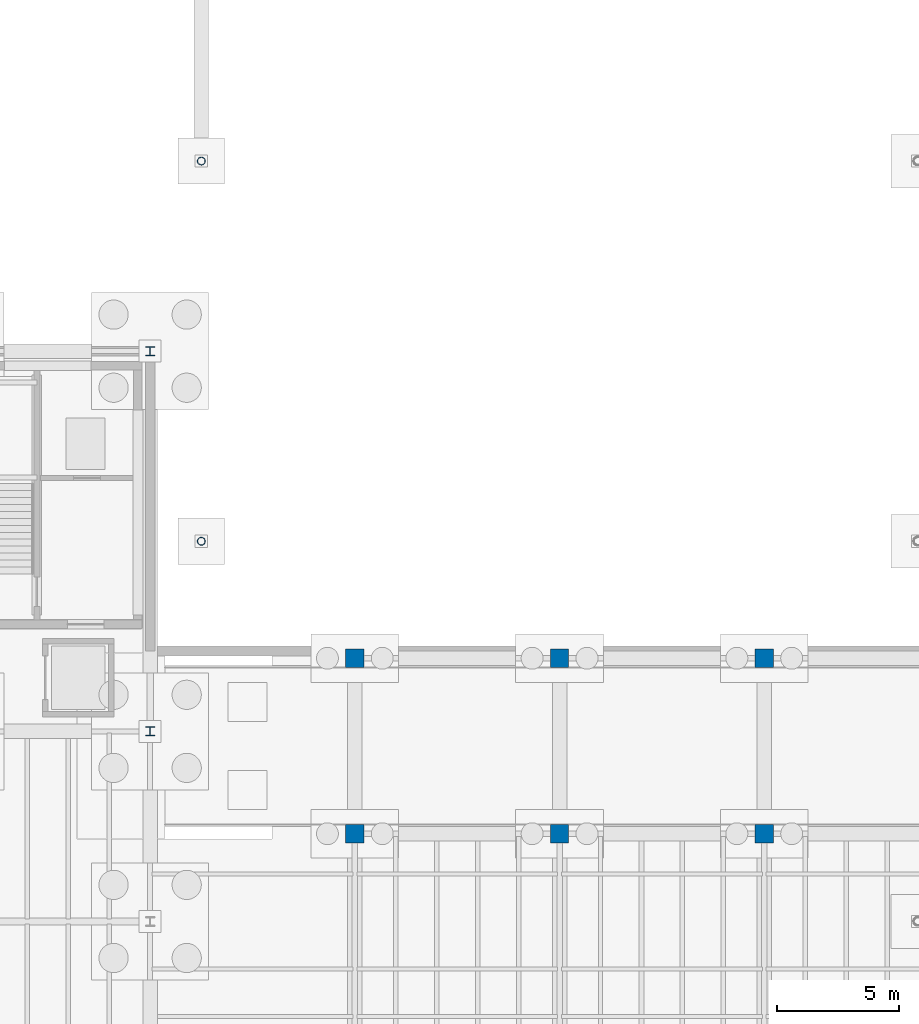
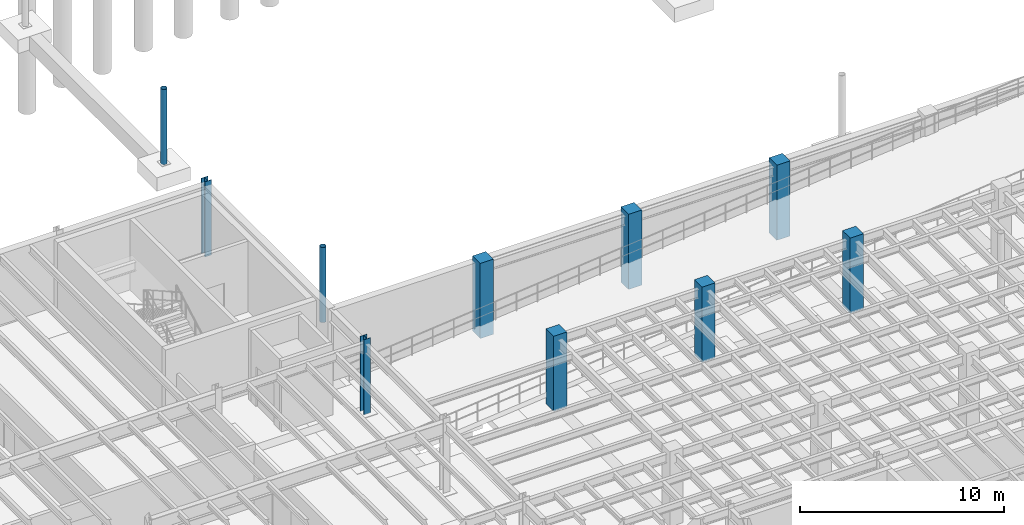
# One storey, part 14 of 41: 10 columns.
"""IFC4 building model written with IfcOpenShell, lengths in metres."""

from ifc_helpers import new_model, si_unit, direction, frame, origin, origin_2d, place, context, subcontext, project, spatial, rectangle, hollow_circle, i_section, extrude, material, material_profile, profile_set, type_object, element, save


model = new_model("IFC4")

# Units and contexts
model_context = context("Model", 3, precision=1e-05, world=origin(), true_north=direction((0.0, 1.0)))
body_context = subcontext(model_context, "Body", "Model", "MODEL_VIEW")
ifc_project = project(units=[si_unit("LENGTHUNIT", "METRE"), si_unit("AREAUNIT", "SQUARE_METRE"), si_unit("VOLUMEUNIT", "CUBIC_METRE"), si_unit("PLANEANGLEUNIT", "RADIAN"), si_unit("MASSUNIT", "GRAM", prefix="KILO")], contexts=[model_context])

# Site, building, storey
site_placement = place(None, origin())
site = spatial("IfcSite", under=ifc_project, at=site_placement, CompositionType="ELEMENT")
building_placement = place(site_placement, origin())
building = spatial("IfcBuilding", under=site, at=building_placement, Name="Selat Folded Stagehouse", CompositionType="ELEMENT")
storey_placement = place(building_placement, frame((0.0, 0.0, -4.5)))
storey = spatial("IfcBuildingStorey", under=building, at=storey_placement, Name="B1", CompositionType="ELEMENT", Elevation=-4.5)

# Columns
ifc_material_1 = material(Name="Steel S355", Category="steel")
ifc_material_profile_1 = material_profile(ifc_material_1, hollow_circle(Radius=0.161865234375, WallThickness=0.012451171875, at=origin_2d()), Name="CHS 323.9x12.5")
ifc_profile_set_1 = profile_set([ifc_material_profile_1], Name="Steel S355")
column_type_1 = type_object("IfcColumnType", Name="COL-CHS-323x12.5", PredefinedType="COLUMN", material=ifc_profile_set_1)
for number, where, z_axis, x_axis, name in (
    (1, (69.300048828125, 46.800048828125, 0.0), (0.0, 0.0, 1.0), (1.0, 0.0, 0.0), "B1 column STK-BR1-468"),
    (2, (69.300048828125, 62.39990234375, 0.0), (0.0, 0.0, 1.0), (1.0, 0.0, 0.0), "B1 column STK-BR1-624"),
):
    element("IfcColumn", number, at=place(storey_placement, frame(where, z_axis=z_axis, x_axis=x_axis)), inside=storey, type_object=column_type_1, Name=name, PredefinedType="COLUMN", context=body_context, shape_type="SweptSolid", body=[
        extrude(hollow_circle(Radius=0.161865234375, WallThickness=0.012451171875, at=origin_2d()), origin(), (0.0, 0.0, 1.0), 4.5),
    ])
ifc_material_2 = material(Name="Concrete C50/60", Category="concrete")
ifc_material_profile_2 = material_profile(ifc_material_2, rectangle(XDim=0.75, YDim=0.75, at=origin_2d()), Name="RC 750x750")
ifc_profile_set_2 = profile_set([ifc_material_profile_2], Name="Concrete C50/60")
column_type_2 = type_object("IfcColumnType", Name="COL-RC-750x750", PredefinedType="COLUMN", material=ifc_profile_set_2)
for number, where, z_axis, x_axis, name in (
    (3, (75.60009765625, 34.800048828125, 0.0), (0.0, 0.0, 1.0), (1.0, 0.0, 0.0), "B1 column STK-B1CP-75-348"),
    (4, (75.60009765625, 42.0, 0.0), (0.0, 0.0, 1.0), (1.0, 0.0, 0.0), "B1 column STK-B1CP-75-420"),
    (5, (84.0, 34.800048828125, 0.0), (0.0, 0.0, 1.0), (1.0, 0.0, 0.0), "B1 column STK-B1CP-84-348"),
    (6, (84.0, 42.0, 0.0), (0.0, 0.0, 1.0), (1.0, 0.0, 0.0), "B1 column STK-B1CP-84-420"),
    (7, (92.39990234375, 34.800048828125, 0.0), (0.0, 0.0, 1.0), (1.0, 0.0, 0.0), "B1 column STK-B1CP-92-348"),
    (8, (92.39990234375, 42.0, 0.0), (0.0, 0.0, 1.0), (1.0, 0.0, 0.0), "B1 column STK-B1CP-92-420"),
):
    element("IfcColumn", number, at=place(storey_placement, frame(where, z_axis=z_axis, x_axis=x_axis)), inside=storey, type_object=column_type_2, Name=name, PredefinedType="COLUMN", context=body_context, shape_type="SweptSolid", body=[
        extrude(rectangle(XDim=0.75, YDim=0.75, at=origin_2d()), origin(), (0.0, 0.0, 1.0), 4.5),
    ])
ifc_material_profile_3 = material_profile(ifc_material_1, i_section(OverallWidth=0.374755859375, OverallDepth=0.37451171875, WebThickness=0.0166015625, FlangeThickness=0.027099609375, FilletRadius=0.01513671875, at=origin_2d()), Name="UKC 356x368x202")
ifc_profile_set_3 = profile_set([ifc_material_profile_3], Name="Steel S355")
column_type_3 = type_object("IfcColumnType", Name="COL-UKC-356x368x202", PredefinedType="COLUMN", material=ifc_profile_set_3)
for number, where, z_axis, x_axis, name in (
    (9, (67.199951171875, 39.0, 0.0), (0.0, 0.0, 1.0), (1.0, 0.0, 0.0), "B1 column STK-V2-23"),
    (10, (67.199951171875, 54.60009765625, 0.0), (0.0, 0.0, 1.0), (1.0, 0.0, 0.0), "B1 column STK-V2-24"),
):
    element("IfcColumn", number, at=place(storey_placement, frame(where, z_axis=z_axis, x_axis=x_axis)), inside=storey, type_object=column_type_3, Name=name, PredefinedType="COLUMN", context=body_context, shape_type="SweptSolid", body=[
        extrude(i_section(OverallWidth=0.374755859375, OverallDepth=0.37451171875, WebThickness=0.0166015625, FlangeThickness=0.027099609375, FilletRadius=0.01513671875, at=origin_2d()), origin(), (0.0, 0.0, 1.0), 4.5),
    ])

save(model, "model.ifc")
